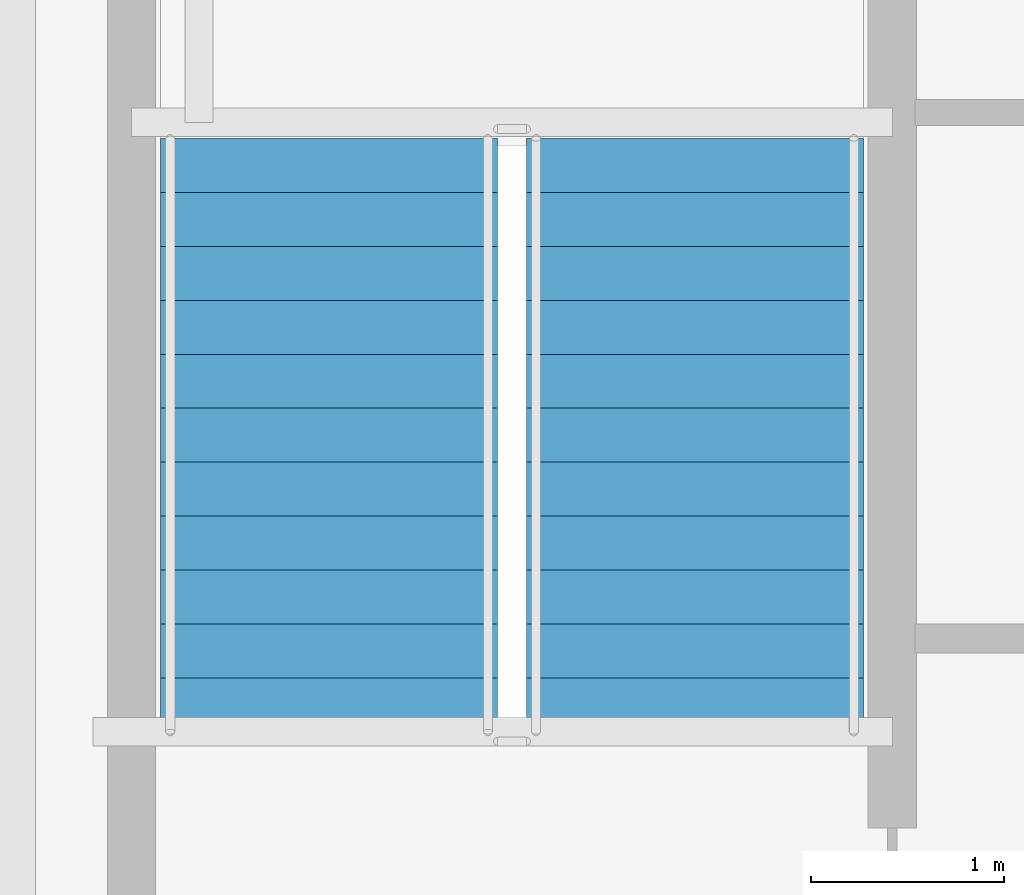
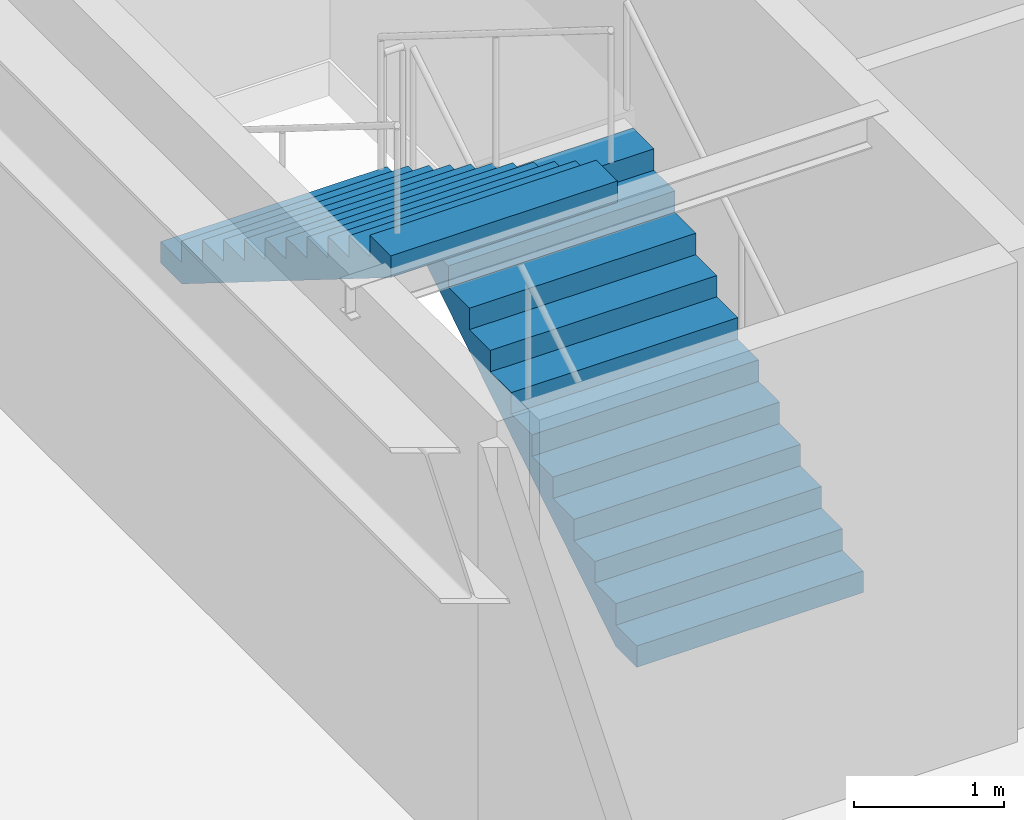
# One storey, part 19 of 25: 2 stair flights, 1 element without a shape of its own.
"""IFC4 building model written with IfcOpenShell, lengths in metres."""

from ifc_helpers import new_model, si_unit, direction, frame, origin, place, context, subcontext, project, spatial, polyline, outline, extrude, material, type_object, element, aggregate, save


model = new_model("IFC4")

# Units and contexts
model_context = context("Model", 3, precision=1e-05, world=origin(), true_north=direction((0.0, 1.0)))
body_context = subcontext(model_context, "Body", "Model", "MODEL_VIEW")
ifc_project = project(units=[si_unit("LENGTHUNIT", "METRE"), si_unit("AREAUNIT", "SQUARE_METRE"), si_unit("VOLUMEUNIT", "CUBIC_METRE"), si_unit("PLANEANGLEUNIT", "RADIAN"), si_unit("MASSUNIT", "GRAM", prefix="KILO")], contexts=[model_context])

# Site, building, storey
site_placement = place(None, origin())
site = spatial("IfcSite", under=ifc_project, at=site_placement, CompositionType="ELEMENT")
building_placement = place(site_placement, origin())
building = spatial("IfcBuilding", under=site, at=building_placement, Name="Khamvora Tower", CompositionType="ELEMENT")
storey_placement = place(building_placement, frame((0.0, 0.0, 16.199951171875)))
storey = spatial("IfcBuildingStorey", under=building, at=storey_placement, Name="L03", CompositionType="ELEMENT", Elevation=16.199951171875)

# Stair, stair flights
ifc_material = material(Name="Concrete C40/50", Category="concrete")
stair_type = type_object("IfcStairType", Name="STR-ST-04", PredefinedType="HALF_TURN_STAIR", material=ifc_material)
stair_placement = place(storey_placement, origin())
stair = element("IfcStair", 1, at=stair_placement, inside=storey, type_object=stair_type, Name="L03 North School Podium Stair ST-04", PredefinedType="HALF_TURN_STAIR")
stair_flight_type = type_object("IfcStairFlightType", Name="STF-ST-04", PredefinedType="STRAIGHT", material=ifc_material)
stair_flight_1_placement = place(storey_placement, frame((22.125, 35.5, 0.0), z_axis=(0.0, 0.0, 1.0), x_axis=(0.0, 1.0, 0.0)))
stair_flight_1 = element("IfcStairFlight", 2, at=stair_flight_1_placement, type_object=stair_flight_type, Name="ST-04 flight 1", NumberOfRisers=12, NumberOfTreads=11, PredefinedType="STRAIGHT", RiserHeight=0.175, TreadLength=0.28, context=body_context, shape_type="SweptSolid", body=[
    extrude(outline(polyline([(0.0, 0.0), (0.0, 0.175048828125), (0.280029296875, 0.175048828125), (0.280029296875, 0.35009765625), (0.56005859375, 0.35009765625), (0.56005859375, 0.52490234375), (0.840087890625, 0.52490234375), (0.840087890625, 0.699951171875), (1.1201171875, 0.699951171875), (1.1201171875, 0.875), (1.39990234375, 0.875), (1.39990234375, 1.050048828125), (1.679931640625, 1.050048828125), (1.679931640625, 1.22509765625), (1.9599609375, 1.22509765625), (1.9599609375, 1.39990234375), (2.239990234375, 1.39990234375), (2.239990234375, 1.574951171875), (2.52001953125, 1.574951171875), (2.52001953125, 1.75), (2.800048828125, 1.75), (2.800048828125, 1.925048828125), (3.080078125, 1.925048828125), (3.080078125, 2.10009765625), (3.080078125, 1.748291015625), (0.28271484375, 0.0), (0.0, 0.0)])), frame((0.0, 0.875, 0.0), z_axis=(0.0, -1.0, 0.0), x_axis=(1.0, 0.0, 0.0)), (0.0, 0.0, 1.0), 1.75),
])
stair_flight_2_placement = place(storey_placement, frame((20.22509765625, 38.580078125, 2.10009765625), z_axis=(0.0, 0.0, 1.0), x_axis=(0.0, -1.0, 0.0)))
stair_flight_2 = element("IfcStairFlight", 3, at=stair_flight_2_placement, type_object=stair_flight_type, Name="ST-04 flight 2", NumberOfRisers=12, NumberOfTreads=11, PredefinedType="STRAIGHT", RiserHeight=0.175, TreadLength=0.28, context=body_context, shape_type="SweptSolid", body=[
    extrude(outline(polyline([(0.0, 0.0), (0.0, 0.175048828125), (0.280029296875, 0.175048828125), (0.280029296875, 0.35009765625), (0.56005859375, 0.35009765625), (0.56005859375, 0.52490234375), (0.840087890625, 0.52490234375), (0.840087890625, 0.699951171875), (1.1201171875, 0.699951171875), (1.1201171875, 0.875), (1.39990234375, 0.875), (1.39990234375, 1.050048828125), (1.679931640625, 1.050048828125), (1.679931640625, 1.22509765625), (1.9599609375, 1.22509765625), (1.9599609375, 1.39990234375), (2.239990234375, 1.39990234375), (2.239990234375, 1.574951171875), (2.52001953125, 1.574951171875), (2.52001953125, 1.75), (2.800048828125, 1.75), (2.800048828125, 1.925048828125), (3.080078125, 1.925048828125), (3.080078125, 2.10009765625), (3.080078125, 1.748291015625), (0.28271484375, 0.0), (0.0, 0.0)])), frame((0.0, 0.875, 0.0), z_axis=(0.0, -1.0, 0.0), x_axis=(1.0, 0.0, 0.0)), (0.0, 0.0, 1.0), 1.75),
])
aggregate(stair, [stair_flight_1, stair_flight_2])

save(model, "model.ifc")
